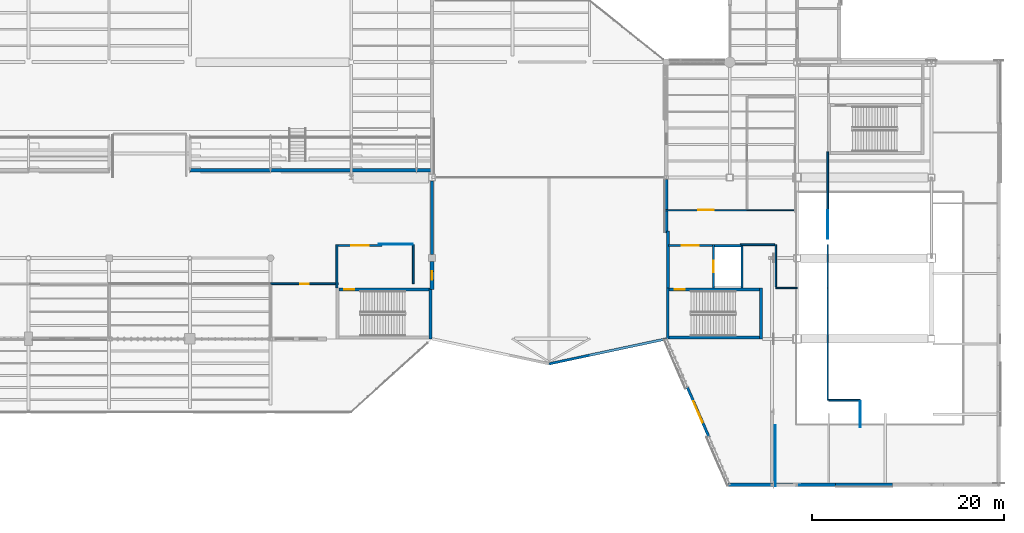
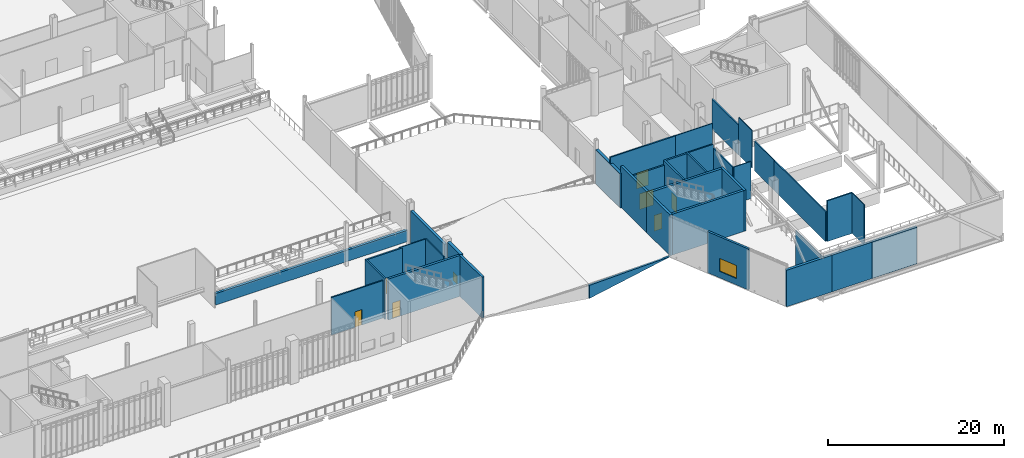
# One storey, part 108 of 135: 37 walls, 7 doors, 2 windows, 9 openings.
"""IFC4 building model written with IfcOpenShell, lengths in metres."""

import ifcopenshell
import ifcopenshell.guid

model = None  # the IFC model being written
_history = None  # IfcOwnerHistory: only IFC2X3 demands one
_inside = {}  # id of a spatial element -> (the spatial element, [elements in it])
_under = {}  # id of a project, library or spatial element -> (it, [spatial elements below it])
_declared = {}  # id of a project -> (the project, [libraries it declares])
_typed = {}  # id of a type object -> (the type object, [elements of that type])
_made_of = {}  # id of a material, layer set ... -> (it, [elements and type objects made of it])


def new_model(schema):
    """Start an empty IFC model of exactly this schema.

    Asked for "IFC4X3", IfcOpenShell would pick the latest addendum, in which some entities
    have other attributes; the version numbers below select the first issue.
    IFC2X3 requires an IfcOwnerHistory on every rooted entity: one is made here for all.
    """
    global model, _history
    if schema == "IFC4X3":
        model = ifcopenshell.file(schema_version=(4, 3, 0, 0))
    else:
        model = ifcopenshell.file(schema=schema)
    _inside.clear()
    _under.clear()
    _declared.clear()
    _typed.clear()
    _made_of.clear()
    _history = None
    if model.schema == "IFC2X3":
        org = make("IfcOrganization", Name="unknown")
        user = make(
            "IfcPersonAndOrganization",
            ThePerson=make("IfcPerson", FamilyName="unknown"),
            TheOrganization=org,
        )
        app = make(
            "IfcApplication",
            ApplicationDeveloper=org,
            Version="unknown",
            ApplicationFullName="unknown",
            ApplicationIdentifier="unknown",
        )
        _history = make(
            "IfcOwnerHistory",
            OwningUser=user,
            OwningApplication=app,
            ChangeAction="ADDED",
            CreationDate=0,
        )
    return model


def make(cls, **values):
    """One entity of the class cls with the attributes given. An attribute that is None is left unset."""
    return model.create_entity(
        cls, **{name: value for name, value in values.items() if value is not None}
    )


def rooted(cls, **values):
    """An entity with a GlobalId (a new one), such as an element, a storey or a relation."""
    return make(cls, GlobalId=ifcopenshell.guid.new(), OwnerHistory=_history, **values)


def si_unit(unit_type, name, prefix=None):
    """IfcSIUnit, for example si_unit("LENGTHUNIT", "METRE", prefix="MILLI")."""
    return make("IfcSIUnit", UnitType=unit_type, Prefix=prefix, Name=name)


def assignment(units):
    """IfcUnitAssignment: the units of a project."""
    return None if units is None else make("IfcUnitAssignment", Units=units)


def point(xyz):
    """IfcCartesianPoint."""
    return None if xyz is None else make("IfcCartesianPoint", Coordinates=xyz)


def direction(xyz):
    """IfcDirection."""
    return None if xyz is None else make("IfcDirection", DirectionRatios=xyz)


def frame(location, z_axis=None, x_axis=None):
    """IfcAxis2Placement3D, a coordinate frame: its origin and axes. An axis left out is left unset."""
    return make(
        "IfcAxis2Placement3D",
        Location=point(location),
        Axis=direction(z_axis),
        RefDirection=direction(x_axis),
    )


def frame_2d(location, x_axis=None):
    """IfcAxis2Placement2D, a coordinate frame in the plane: its origin and x axis."""
    return make(
        "IfcAxis2Placement2D", Location=point(location), RefDirection=direction(x_axis)
    )


def origin():
    """The frame at (0, 0, 0) with its axes left unset."""
    return frame((0.0, 0.0, 0.0))


def place(relative_to, where):
    """IfcLocalPlacement: puts the frame where relative to a parent placement (None: the world)."""
    return make(
        "IfcLocalPlacement", PlacementRelTo=relative_to, RelativePlacement=where
    )


def context(
    kind, dimensions, precision=None, world=None, true_north=None, identifier=None
):
    """IfcGeometricRepresentationContext, for example the 3D "Model" context."""
    return make(
        "IfcGeometricRepresentationContext",
        ContextIdentifier=identifier,
        ContextType=kind,
        CoordinateSpaceDimension=dimensions,
        Precision=precision,
        WorldCoordinateSystem=world,
        TrueNorth=true_north,
    )


def subcontext(parent, identifier, kind, view, scale=None):
    """IfcGeometricRepresentationSubContext, for example "Body" below "Model"."""
    return make(
        "IfcGeometricRepresentationSubContext",
        ContextIdentifier=identifier,
        ContextType=kind,
        ParentContext=parent,
        TargetScale=scale,
        TargetView=view,
    )


def project(units=None, contexts=None):
    """IfcProject with its units and contexts."""
    return rooted(
        "IfcProject",
        Name="project",
        RepresentationContexts=contexts,
        UnitsInContext=assignment(units),
    )


def spatial(cls, under=None, at=None, **own):
    """A site, building, storey or space (cls), placed at a placement, below another one or the project."""
    s = rooted(cls, ObjectPlacement=at, **own)
    if under is not None:
        _under.setdefault(under.id(), (under, []))[1].append(s)
    return s


def polyline(points):
    """IfcPolyline through the points."""
    return make("IfcPolyline", Points=[point(p) for p in points])


def profile(cls, at=None, kind="AREA", **sizes):
    """A parametric profile (cls). Its sizes go by their IFC names, for example OverallWidth=200.0."""
    return make(cls, ProfileType=kind, Position=at, **sizes)


def rectangle(**sizes):
    """IfcRectangleProfileDef."""
    return profile("IfcRectangleProfileDef", **sizes)


def outline(outer, holes=None, kind="AREA"):
    """IfcArbitraryClosedProfileDef: a profile drawn as a closed curve; with holes, ...WithVoids."""
    if holes is None:
        return make("IfcArbitraryClosedProfileDef", ProfileType=kind, OuterCurve=outer)
    return make(
        "IfcArbitraryProfileDefWithVoids",
        ProfileType=kind,
        OuterCurve=outer,
        InnerCurves=holes,
    )


def extrude(swept, where, along, depth):
    """IfcExtrudedAreaSolid: the profile swept, set in the frame where, extruded along a direction by depth."""
    return make(
        "IfcExtrudedAreaSolid",
        SweptArea=swept,
        Position=where,
        ExtrudedDirection=direction(along),
        Depth=depth,
    )


def shape(context_of_items, identifier, shape_type, items):
    """IfcShapeRepresentation: the items that make up one representation, for example the "Body"."""
    return make(
        "IfcShapeRepresentation",
        ContextOfItems=context_of_items,
        RepresentationIdentifier=identifier,
        RepresentationType=shape_type,
        Items=items,
    )


def material(Name=None, Category=None):
    """IfcMaterial."""
    return make("IfcMaterial", Name=Name, Category=Category)


def layer(
    of_material, thickness, ventilated=None, Name=None, Category=None, Priority=None
):
    """IfcMaterialLayer: one layer of a wall or slab, of a material (None: an air gap)."""
    return make(
        "IfcMaterialLayer",
        Material=of_material,
        LayerThickness=thickness,
        IsVentilated=ventilated,
        Name=Name,
        Category=Category,
        Priority=Priority,
    )


def layer_set(layers, Name=None):
    """IfcMaterialLayerSet."""
    return make("IfcMaterialLayerSet", MaterialLayers=layers, LayerSetName=Name)


def made_of(thing, what):
    """Note that an element or type object is made of a material, layer set ...; save() writes the relation."""
    if what is not None:
        _made_of.setdefault(what.id(), (what, []))[1].append(thing)
    return thing


def type_object(cls, material=None, **own):
    """A type object (cls), such as IfcWallType, which elements share."""
    return made_of(rooted(cls, **own), material)


def element(
    cls,
    number,
    at=None,
    inside=None,
    cuts=None,
    type_object=None,
    material=None,
    context=None,
    identifier="Body",
    shape_type=None,
    held_by="IfcProductDefinitionShape",
    body=None,
    shapes=None,
    **own,
):
    """One element of the class cls, such as IfcWall. Its Tag is "e" and its number.

    at: its placement. inside: the storey or other place that contains it. cuts: it is an
    opening in that element (IfcRelVoidsElement). A single representation is given by context,
    identifier, shape_type and body (its items); several are given by shapes. held_by: the class
    of the entity that holds the representations. save() writes the other relations.
    """
    e = rooted(cls, Tag="e%d" % number, ObjectPlacement=at, **own)
    if body is not None:
        shapes = [shape(context, identifier, shape_type, body)]
    if shapes is not None:
        e.Representation = make(held_by, Representations=shapes)
    if inside is not None:
        _inside.setdefault(inside.id(), (inside, []))[1].append(e)
    if cuts is not None:
        rooted(
            "IfcRelVoidsElement", RelatingBuildingElement=cuts, RelatedOpeningElement=e
        )
    if type_object is not None:
        _typed.setdefault(type_object.id(), (type_object, []))[1].append(e)
    return made_of(e, material)


def fill(opening, filler):
    """IfcRelFillsElement: the door or window that sits in an opening."""
    return rooted(
        "IfcRelFillsElement",
        RelatingOpeningElement=opening,
        RelatedBuildingElement=filler,
    )


def aggregate(whole, parts):
    """IfcRelAggregates: a whole, such as a stair, and the parts it consists of."""
    return rooted("IfcRelAggregates", RelatingObject=whole, RelatedObjects=parts)


def save(model, path):
    """Write the relations noted so far, then the file.

    IfcRelAggregates (storeys below a building ...), IfcRelContainedInSpatialStructure (elements
    in a storey), IfcRelDefinesByType, IfcRelAssociatesMaterial and IfcRelDeclares: one each for
    every whole, place, type object, material and project.
    """
    for whole, parts in _under.values():
        aggregate(whole, parts)
    for where, things in _inside.values():
        rooted(
            "IfcRelContainedInSpatialStructure",
            RelatedElements=things,
            RelatingStructure=where,
        )
    for kind, things in _typed.values():
        rooted("IfcRelDefinesByType", RelatedObjects=things, RelatingType=kind)
    for what, things in _made_of.values():
        rooted("IfcRelAssociatesMaterial", RelatedObjects=things, RelatingMaterial=what)
    for by, libraries in _declared.values():
        rooted("IfcRelDeclares", RelatingContext=by, RelatedDefinitions=libraries)
    model.write(path)


model = new_model("IFC4")

# Units and contexts
model_context = context("Model", 3, precision=1e-05, world=origin(), true_north=direction((0.0, 1.0)))
body_context = subcontext(model_context, "Body", "Model", "MODEL_VIEW")
ifc_project = project(units=[si_unit("LENGTHUNIT", "METRE"), si_unit("AREAUNIT", "SQUARE_METRE"), si_unit("VOLUMEUNIT", "CUBIC_METRE"), si_unit("PLANEANGLEUNIT", "RADIAN"), si_unit("MASSUNIT", "GRAM", prefix="KILO")], contexts=[model_context])

# Site, building, storey
site_placement = place(None, origin())
site = spatial("IfcSite", under=ifc_project, at=site_placement, CompositionType="ELEMENT")
building_placement = place(site_placement, origin())
building = spatial("IfcBuilding", under=site, at=building_placement, Name="Larkvane Passage Sports Hall", CompositionType="ELEMENT")
storey_placement = place(building_placement, frame((0.0, 0.0, 10.800048828125)))
storey = spatial("IfcBuildingStorey", under=building, at=storey_placement, Name="L02", CompositionType="ELEMENT", Elevation=10.800048828125)

# Wall
ifc_material_1 = material(Name="Concrete C50/60", Category="concrete")
ifc_layer_1 = layer(ifc_material_1, 0.300048828125)
ifc_layer_set_1 = layer_set([ifc_layer_1], Name="Concrete C50/60")
wall_type_1 = type_object("IfcWallType", Name="WL-CORE-300", PredefinedType="SHEAR", material=ifc_layer_set_1)
wall_1_placement = place(storey_placement, frame((93.449951171875, 28.10009765625, 0.0), z_axis=(0.0, 0.0, 1.0), x_axis=(0.0, -1.0, 0.0)))
element("IfcWall", 1, at=wall_1_placement, inside=storey, type_object=wall_type_1, Name="Core shear wall WAL-CORE-C4-L02-E", PredefinedType="SHEAR", context=body_context, shape_type="SweptSolid", body=[
    extrude(rectangle(XDim=5.300048828125, YDim=0.300048828125, at=frame_2d((2.64990234375, 0.0))), origin(), (0.0, 0.0, 1.0), 5.679931640625),
])

# Wall, opening, door
wall_2_placement = place(storey_placement, frame((83.89990234375, 27.949951171875, 0.0), z_axis=(0.0, 0.0, 1.0), x_axis=(1.0, 0.0, 0.0)))
wall_2 = element("IfcWall", 2, at=wall_2_placement, inside=storey, type_object=wall_type_1, Name="Core shear wall WAL-CORE-C4-L02-N", PredefinedType="SHEAR", context=body_context, shape_type="SweptSolid", body=[
    extrude(rectangle(XDim=9.400146484375, YDim=0.300048828125, at=frame_2d((4.7001953125, 0.0))), origin(), (0.0, 0.0, 1.0), 5.679931640625),
])
opening_1_placement = place(wall_2_placement, frame((0.550048828125, 0.0, 0.0)))
opening_1 = element("IfcOpeningElement", 3, at=opening_1_placement, cuts=wall_2, Name="Opening DF-01", PredefinedType="OPENING", context=body_context, shape_type="SweptSolid", body=[
    extrude(rectangle(XDim=1.050048828125, YDim=2.199951171875, at=frame_2d((0.52490234375, 1.10009765625))), frame((0.0, 0.159912109375, 0.0), z_axis=(0.0, -1.0, 0.0), x_axis=(1.0, 0.0, 0.0)), (0.0, 0.0, 1.0), 0.320068359375),
])
ifc_material_2 = material(Name="Steel S355JR smoke-sealed fire door", Category="steel")
door_type_1 = type_object("IfcDoorType", Name="DR-FIRE-1050", OperationType="NOTDEFINED", PredefinedType="DOOR", material=ifc_material_2)
door_1_placement = place(opening_1_placement, origin())
door_1 = element("IfcDoor", 4, at=door_1_placement, inside=storey, type_object=door_type_1, Name="Stair ST-04 L02 fire door", OperationType="SINGLE_SWING_RIGHT", OverallHeight=2.199951171875, OverallWidth=1.050048828125, PredefinedType="DOOR", context=body_context, shape_type="SweptSolid", body=[
    extrude(rectangle(XDim=1.050048828125, YDim=2.199951171875, at=frame_2d((0.52490234375, 1.10009765625))), frame((0.0, 0.02490234375, 0.0), z_axis=(0.0, -1.0, 0.0), x_axis=(1.0, 0.0, 0.0)), (0.0, 0.0, 1.0), 0.050048828125),
])
fill(opening_1, door_1)

# Walls
ifc_layer_2 = layer(ifc_material_1, 0.340087890625)
ifc_layer_set_2 = layer_set([ifc_layer_2], Name="Concrete C50/60")
wall_type_2 = type_object("IfcWallType", Name="WL-CORE-340", PredefinedType="SHEAR", material=ifc_layer_set_2)
for number, where, z_axis, x_axis, name in (
    (5, (118.14990234375, 22.800048828125, 0.0), (0.0, 0.0, 1.0), (0.0, 1.0, 0.0), "Core shear wall WAL-CORE-C5-L02-W"),
    (6, (127.85009765625, 28.10009765625, 0.0), (0.0, 0.0, 1.0), (0.0, -1.0, 0.0), "Core shear wall WAL-CORE-C5-L02-E"),
):
    element("IfcWall", number, at=place(storey_placement, frame(where, z_axis=z_axis, x_axis=x_axis)), inside=storey, type_object=wall_type_2, Name=name, PredefinedType="SHEAR", context=body_context, shape_type="SweptSolid", body=[
        extrude(rectangle(XDim=5.300048828125, YDim=0.300048828125, at=frame_2d((2.64990234375, 0.0))), origin(), (0.0, 0.0, 1.0), 5.679931640625),
    ])

# Wall, opening, door
wall_3_placement = place(storey_placement, frame((118.300048828125, 27.949951171875, 0.0), z_axis=(0.0, 0.0, 1.0), x_axis=(1.0, 0.0, 0.0)))
wall_3 = element("IfcWall", 7, at=wall_3_placement, inside=storey, type_object=wall_type_2, Name="Core shear wall WAL-CORE-C5-L02-N", PredefinedType="SHEAR", context=body_context, shape_type="SweptSolid", body=[
    extrude(rectangle(XDim=9.39990234375, YDim=0.300048828125, at=frame_2d((4.699951171875, 0.0))), origin(), (0.0, 0.0, 1.0), 5.679931640625),
])
opening_2_placement = place(wall_3_placement, frame((0.550048828125, 0.0, 0.0)))
opening_2 = element("IfcOpeningElement", 8, at=opening_2_placement, cuts=wall_3, Name="Opening DF-01", PredefinedType="OPENING", context=body_context, shape_type="SweptSolid", body=[
    extrude(rectangle(XDim=1.050048828125, YDim=2.199951171875, at=frame_2d((0.52490234375, 1.10009765625))), frame((0.0, 0.159912109375, 0.0), z_axis=(0.0, -1.0, 0.0), x_axis=(1.0, 0.0, 0.0)), (0.0, 0.0, 1.0), 0.320068359375),
])
door_2_placement = place(opening_2_placement, origin())
door_2 = element("IfcDoor", 9, at=door_2_placement, inside=storey, type_object=door_type_1, Name="Stair ST-05 L02 fire door", OperationType="SINGLE_SWING_RIGHT", OverallHeight=2.199951171875, OverallWidth=1.050048828125, PredefinedType="DOOR", context=body_context, shape_type="SweptSolid", body=[
    extrude(rectangle(XDim=1.050048828125, YDim=2.199951171875, at=frame_2d((0.52490234375, 1.10009765625))), frame((0.0, 0.02490234375, 0.0), z_axis=(0.0, -1.0, 0.0), x_axis=(1.0, 0.0, 0.0)), (0.0, 0.0, 1.0), 0.050048828125),
])
fill(opening_2, door_2)

# Wall
ifc_layer_3 = layer(ifc_material_1, 0.340087890625)
ifc_layer_set_3 = layer_set([ifc_layer_3], Name="Concrete C50/60")
wall_type_3 = type_object("IfcWallType", Name="WL-CORE-EXT-340", PredefinedType="SHEAR", material=ifc_layer_set_3)
wall_4_placement = place(storey_placement, frame((127.699951171875, 22.949951171875, 0.0), z_axis=(0.0, 0.0, 1.0), x_axis=(-1.0, 0.0, 0.0)))
element("IfcWall", 10, at=wall_4_placement, inside=storey, type_object=wall_type_3, Name="Core shear wall WAL-CORE-C5-L02-S", PredefinedType="SHEAR", context=body_context, shape_type="SweptSolid", body=[
    extrude(rectangle(XDim=9.39990234375, YDim=0.300048828125, at=frame_2d((4.699951171875, 0.0))), origin(), (0.0, 0.0, 1.0), 5.679931640625),
])

# Wall, opening, window
ifc_material_3 = material(Name="Concrete C40/50", Category="concrete")
ifc_layer_4 = layer(ifc_material_3, 0.27490234375)
ifc_layer_set_4 = layer_set([ifc_layer_4], Name="Concrete C40/50")
wall_type_4 = type_object("IfcWallType", Name="WL-EXT-275", PredefinedType="SOLIDWALL", material=ifc_layer_set_4)
wall_5_placement = place(storey_placement, frame((122.45263671875, 12.545654296875, 0.0), z_axis=(0.0, 0.0, 1.0), x_axis=(-0.398288010799, 0.917260410382, 0.0)))
wall_5 = element("IfcWall", 11, at=wall_5_placement, inside=storey, type_object=wall_type_4, Name="Exterior wall WAL-EXT-L02-131", PredefinedType="SOLIDWALL", context=body_context, shape_type="SweptSolid", body=[
    extrude(rectangle(XDim=5.78759765625, YDim=0.27490234375, at=frame_2d((2.893798828125, 0.0))), origin(), (0.0, 0.0, 1.0), 5.699951171875),
])
opening_3_placement = place(wall_5_placement, frame((1.694091796875, 0.0, 0.89990234375)))
opening_3 = element("IfcOpeningElement", 12, at=opening_3_placement, cuts=wall_5, Name="Opening W-04", PredefinedType="OPENING", context=body_context, shape_type="SweptSolid", body=[
    extrude(rectangle(XDim=2.39990234375, YDim=1.800048828125, at=frame_2d((1.199951171875, 0.89990234375))), frame((0.0, 0.1474609375, 0.0), z_axis=(0.0, -1.0, 0.0), x_axis=(1.0, 0.0, 0.0)), (0.0, 0.0, 1.0), 0.294921875),
])
ifc_material_4 = material(Name="Thermally broken aluminium and laminated low-E glass", Category="aluminium")
window_type_1 = type_object("IfcWindowType", Name="WN-FIX-2400x1800", PartitioningType="DOUBLE_PANEL_VERTICAL", PredefinedType="WINDOW", material=ifc_material_4)
window_1_placement = place(opening_3_placement, origin())
window_1 = element("IfcWindow", 13, at=window_1_placement, inside=storey, type_object=window_type_1, Name="Window L02-043", OverallHeight=1.800048828125, OverallWidth=2.39990234375, PartitioningType="DOUBLE_PANEL_VERTICAL", PredefinedType="WINDOW", context=body_context, shape_type="SweptSolid", body=[
    extrude(rectangle(XDim=2.39990234375, YDim=1.800048828125, at=frame_2d((1.199951171875, 0.89990234375))), frame((0.0, 0.030029296875, 0.0), z_axis=(0.0, -1.0, 0.0), x_axis=(1.0, 0.0, 0.0)), (0.0, 0.0, 1.0), 0.06005859375),
])
fill(opening_3, window_1)

# Walls
ifc_material_5 = material(Name="Precast concrete C45/55", Category="concrete")
ifc_layer_5 = layer(ifc_material_5, 0.31005859375)
ifc_layer_set_5 = layer_set([ifc_layer_5], Name="Precast concrete C45/55")
wall_type_5 = type_object("IfcWallType", Name="WL-EXT-310", PredefinedType="SOLIDWALL", material=ifc_layer_set_5)
wall_6_placement = place(storey_placement, frame((118.155029296875, 28.10009765625, 0.0), z_axis=(0.0, 0.0, 1.0), x_axis=(0.0, 1.0, 0.0)))
element("IfcWall", 14, at=wall_6_placement, inside=storey, type_object=wall_type_5, Name="Exterior wall WAL-EXT-C5-LOB-L02", PredefinedType="SOLIDWALL", context=body_context, shape_type="SweptSolid", body=[
    extrude(rectangle(XDim=5.919921875, YDim=0.31005859375, at=frame_2d((2.9599609375, 0.0))), origin(), (0.0, 0.0, 1.0), 5.679931640625),
])
ifc_layer_6 = layer(ifc_material_5, 0.344970703125)
ifc_layer_set_6 = layer_set([ifc_layer_6], Name="Precast concrete C45/55")
wall_type_6 = type_object("IfcWallType", Name="WL-EXT-345", PredefinedType="SOLIDWALL", material=ifc_layer_set_6)
for number, where, z_axis, x_axis, name in (
    (15, (141.565673828125, 7.60009765625, 0.0), (0.0, 0.0, 1.0), (-1.0, 0.0, 0.0), "Exterior wall WAL-EXT-L02-128"),
    (16, (135.965576171875, 7.60009765625, 0.0), (0.0, 0.0, 1.0), (-1.0, 0.0, 0.0), "Exterior wall WAL-EXT-L02-129"),
    (17, (130.365478515625, 7.60009765625, 0.0), (0.0, 0.0, 1.0), (-1.0, 0.0, 0.0), "Exterior wall WAL-EXT-L02-130"),
):
    element("IfcWall", number, at=place(storey_placement, frame(where, z_axis=z_axis, x_axis=x_axis)), inside=storey, type_object=wall_type_6, Name=name, PredefinedType="SOLIDWALL", context=body_context, shape_type="SweptSolid", body=[
        extrude(rectangle(XDim=5.93115234375, YDim=0.344970703125, at=frame_2d((2.965576171875, 0.0))), origin(), (0.0, 0.0, 1.0), 5.079833984375),
    ])
wall_7_placement = place(storey_placement, frame((118.0, 33.83447265625, 0.0), z_axis=(0.0, 0.0, 1.0), x_axis=(0.0, 1.0, 0.0)))
element("IfcWall", 18, at=wall_7_placement, inside=storey, type_object=wall_type_6, Name="Exterior wall WAL-EXT-L02-132", PredefinedType="SOLIDWALL", context=body_context, shape_type="SweptSolid", body=[
    extrude(rectangle(XDim=5.569580078125, YDim=0.344970703125, at=frame_2d((2.78466796875, 0.0))), origin(), (0.0, 0.0, 1.0), 4.758056640625),
])
wall_8_placement = place(storey_placement, frame((93.60009765625, 39.25390625, 0.0), z_axis=(0.0, 0.0, 1.0), x_axis=(0.0, -1.0, 0.0)))
element("IfcWall", 19, at=wall_8_placement, inside=storey, type_object=wall_type_6, Name="Exterior wall WAL-EXT-L02-145", PredefinedType="SOLIDWALL", context=body_context, shape_type="SweptSolid", body=[
    extrude(rectangle(XDim=7.682861328125, YDim=0.344970703125, at=frame_2d((3.84130859375, 0.0))), origin(), (0.0, 0.0, 1.0), 4.89794921875),
])

# Wall, opening, window
ifc_layer_7 = layer(ifc_material_3, 0.385009765625)
ifc_layer_set_7 = layer_set([ifc_layer_7], Name="Concrete C40/50")
wall_type_7 = type_object("IfcWallType", Name="WL-EXT-385", PredefinedType="SOLIDWALL", material=ifc_layer_set_7)
wall_9_placement = place(storey_placement, frame((93.60009765625, 30.8291015625, 0.0), z_axis=(0.0, 0.0, 1.0), x_axis=(0.0, -1.0, 0.0)))
wall_9 = element("IfcWall", 20, at=wall_9_placement, inside=storey, type_object=wall_type_7, Name="Exterior wall WAL-EXT-L02-146", PredefinedType="SOLIDWALL", context=body_context, shape_type="SweptSolid", body=[
    extrude(rectangle(XDim=2.90380859375, YDim=0.385009765625, at=frame_2d((1.451904296875, 0.0))), origin(), (0.0, 0.0, 1.0), 5.679931640625),
])
opening_4_placement = place(wall_9_placement, frame((1.001953125, 0.0, 0.89990234375)))
opening_4 = element("IfcOpeningElement", 21, at=opening_4_placement, cuts=wall_9, Name="Opening W-09", PredefinedType="OPENING", context=body_context, shape_type="SweptSolid", body=[
    extrude(rectangle(XDim=0.89990234375, YDim=1.199951171875, at=frame_2d((0.449951171875, 0.60009765625))), frame((0.0, 0.202392578125, 0.0), z_axis=(0.0, -1.0, 0.0), x_axis=(1.0, 0.0, 0.0)), (0.0, 0.0, 1.0), 0.405029296875),
])
window_type_2 = type_object("IfcWindowType", Name="WN-CAS-900x1200", PartitioningType="SINGLE_PANEL", PredefinedType="WINDOW", material=ifc_material_4)
window_2_placement = place(opening_4_placement, origin())
window_2 = element("IfcWindow", 22, at=window_2_placement, inside=storey, type_object=window_type_2, Name="Window L02-048", OverallHeight=1.199951171875, OverallWidth=0.89990234375, PartitioningType="SINGLE_PANEL", PredefinedType="WINDOW", context=body_context, shape_type="SweptSolid", body=[
    extrude(rectangle(XDim=0.89990234375, YDim=1.199951171875, at=frame_2d((0.449951171875, 0.60009765625))), frame((0.0, 0.030029296875, 0.0), z_axis=(0.0, -1.0, 0.0), x_axis=(1.0, 0.0, 0.0)), (0.0, 0.0, 1.0), 0.06005859375),
])
fill(opening_4, window_2)

# Wall
ifc_layer_8 = layer(ifc_material_5, 0.260009765625)
ifc_layer_set_8 = layer_set([ifc_layer_8], Name="Precast concrete C45/55")
wall_type_8 = type_object("IfcWallType", Name="WL-GABLE-260", PredefinedType="SOLIDWALL", material=ifc_layer_set_8)
wall_10_placement = place(storey_placement, frame((105.800048828125, 20.199951171875, 0.0), z_axis=(0.0, 0.0, 1.0), x_axis=(0.97803466984, 0.208442281199, 0.0)))
element("IfcWall", 23, at=wall_10_placement, inside=storey, type_object=wall_type_8, Name="Entrance foyer canopy gable WAL-GABLE-V5-SE", PredefinedType="SOLIDWALL", context=body_context, shape_type="SweptSolid", body=[
    extrude(outline(polyline([(0.0, 0.0), (12.473876953125, 0.0), (12.469970703125, 0.02001953125), (0.0, 1.820068359375), (0.0, 0.0)])), frame((0.0, 0.1298828125, 0.0), z_axis=(0.0, -1.0, 0.0), x_axis=(1.0, 0.0, 0.0)), (0.0, 0.0, 1.0), 0.260009765625),
])

# Wall, opening, door
ifc_layer_9 = layer(ifc_material_3, 0.199951171875)
ifc_layer_set_9 = layer_set([ifc_layer_9], Name="Concrete C40/50")
wall_type_9 = type_object("IfcWallType", Name="WL-LOBBY-200", PredefinedType="SOLIDWALL", material=ifc_layer_set_9)
wall_11_placement = place(storey_placement, frame((83.800048828125, 32.5, 0.0), z_axis=(0.0, 0.0, 1.0), x_axis=(1.0, 0.0, 0.0)))
wall_11 = element("IfcWall", 24, at=wall_11_placement, inside=storey, type_object=wall_type_9, Name="Protected stair lobby wall C4 L02", PredefinedType="SOLIDWALL", context=body_context, shape_type="SweptSolid", body=[
    extrude(rectangle(XDim=4.599853515625, YDim=0.199951171875, at=frame_2d((2.2998046875, 0.0))), origin(), (0.0, 0.0, 1.0), 5.64990234375),
])
opening_5_placement = place(wall_11_placement, frame((1.39990234375, 0.0, 0.0)))
opening_5 = element("IfcOpeningElement", 25, at=opening_5_placement, cuts=wall_11, Name="Opening DF-02", PredefinedType="OPENING", context=body_context, shape_type="SweptSolid", body=[
    extrude(rectangle(XDim=1.800048828125, YDim=2.199951171875, at=frame_2d((0.89990234375, 1.10009765625))), frame((0.0, 0.10986328125, 0.0), z_axis=(0.0, -1.0, 0.0), x_axis=(1.0, 0.0, 0.0)), (0.0, 0.0, 1.0), 0.219970703125),
])
ifc_material_6 = material(Name="Steel S355JR double smoke-sealed fire door", Category="steel")
door_type_2 = type_object("IfcDoorType", Name="DR-FIRE-1800", OperationType="DOUBLE_DOOR_SINGLE_SWING", PredefinedType="DOOR", material=ifc_material_6)
door_3_placement = place(opening_5_placement, origin())
door_3 = element("IfcDoor", 26, at=door_3_placement, inside=storey, type_object=door_type_2, Name="Lobby smoke door C4 L02", OperationType="DOUBLE_DOOR_SINGLE_SWING", OverallHeight=2.199951171875, OverallWidth=1.800048828125, PredefinedType="DOOR", context=body_context, shape_type="SweptSolid", body=[
    extrude(rectangle(XDim=1.800048828125, YDim=2.199951171875, at=frame_2d((0.89990234375, 1.10009765625))), frame((0.0, 0.02490234375, 0.0), z_axis=(0.0, -1.0, 0.0), x_axis=(1.0, 0.0, 0.0)), (0.0, 0.0, 1.0), 0.050048828125),
])
fill(opening_5, door_3)

# Wall
wall_12_placement = place(storey_placement, frame((83.699951171875, 28.10009765625, 0.0), z_axis=(0.0, 0.0, 1.0), x_axis=(0.0, 1.0, 0.0)))
element("IfcWall", 27, at=wall_12_placement, inside=storey, type_object=wall_type_9, Name="Lobby side wall C4 L02", PredefinedType="SOLIDWALL", context=body_context, shape_type="SweptSolid", body=[
    extrude(rectangle(XDim=4.5, YDim=0.199951171875, at=frame_2d((2.25, 0.0))), origin(), (0.0, 0.0, 1.0), 5.64990234375),
])

# Wall, opening, door
wall_13_placement = place(storey_placement, frame((118.199951171875, 32.5, 0.0), z_axis=(0.0, 0.0, 1.0), x_axis=(1.0, 0.0, 0.0)))
wall_13 = element("IfcWall", 28, at=wall_13_placement, inside=storey, type_object=wall_type_9, Name="Protected stair lobby wall C5 L02", PredefinedType="SOLIDWALL", context=body_context, shape_type="SweptSolid", body=[
    extrude(rectangle(XDim=4.60009765625, YDim=0.199951171875, at=frame_2d((2.300048828125, 0.0))), origin(), (0.0, 0.0, 1.0), 5.08203125),
])
opening_6_placement = place(wall_13_placement, frame((1.39990234375, 0.0, 0.0)))
opening_6 = element("IfcOpeningElement", 29, at=opening_6_placement, cuts=wall_13, Name="Opening DF-02", PredefinedType="OPENING", context=body_context, shape_type="SweptSolid", body=[
    extrude(rectangle(XDim=1.800048828125, YDim=2.199951171875, at=frame_2d((0.89990234375, 1.10009765625))), frame((0.0, 0.10986328125, 0.0), z_axis=(0.0, -1.0, 0.0), x_axis=(1.0, 0.0, 0.0)), (0.0, 0.0, 1.0), 0.219970703125),
])
door_4_placement = place(opening_6_placement, origin())
door_4 = element("IfcDoor", 30, at=door_4_placement, inside=storey, type_object=door_type_2, Name="Lobby smoke door C5 L02", OperationType="DOUBLE_DOOR_SINGLE_SWING", OverallHeight=2.199951171875, OverallWidth=1.800048828125, PredefinedType="DOOR", context=body_context, shape_type="SweptSolid", body=[
    extrude(rectangle(XDim=1.800048828125, YDim=2.199951171875, at=frame_2d((0.89990234375, 1.10009765625))), frame((0.0, 0.02490234375, 0.0), z_axis=(0.0, -1.0, 0.0), x_axis=(1.0, 0.0, 0.0)), (0.0, 0.0, 1.0), 0.050048828125),
])
fill(opening_6, door_4)

# Walls
ifc_material_7 = material(Name="Gypsum twin-stud acoustic partition")
ifc_layer_10 = layer(ifc_material_7, 0.10009765625)
ifc_layer_set_10 = layer_set([ifc_layer_10], Name="Gypsum twin-stud acoustic partition")
wall_type_10 = type_object("IfcWallType", Name="WL-PART-100", PredefinedType="PARTITIONING", material=ifc_layer_set_10)
wall_14_placement = place(storey_placement, frame((129.340087890625, 7.448486328125, 0.0), z_axis=(0.0, 0.0, 1.0), x_axis=(0.0, 1.0, 0.0)))
element("IfcWall", 31, at=wall_14_placement, inside=storey, type_object=wall_type_10, Name="Interior partition WAL-PART-L02-0234", PredefinedType="PARTITIONING", context=body_context, shape_type="SweptSolid", body=[
    extrude(rectangle(XDim=6.3515625, YDim=0.10009765625, at=frame_2d((3.17578125, 0.0))), origin(), (0.0, 0.0, 1.0), 5.08203125),
])
wall_15_placement = place(storey_placement, frame((91.60009765625, 32.659912109375, 0.0), z_axis=(0.0, 0.0, 1.0), x_axis=(-1.0, 0.0, 0.0)))
element("IfcWall", 32, at=wall_15_placement, inside=storey, type_object=wall_type_10, Name="Interior partition WAL-PART-L02-0250", PredefinedType="PARTITIONING", context=body_context, shape_type="SweptSolid", body=[
    extrude(rectangle(XDim=3.52001953125, YDim=0.10009765625, at=frame_2d((1.760009765625, 0.0))), origin(), (0.0, 0.0, 1.0), 5.64990234375),
])
wall_16_placement = place(storey_placement, frame((134.800048828125, 36.199951171875, 0.0), z_axis=(0.0, 0.0, 1.0), x_axis=(0.0, -1.0, 0.0)))
element("IfcWall", 33, at=wall_16_placement, inside=storey, type_object=wall_type_10, Name="Interior partition WAL-PART-L02-0282", PredefinedType="PARTITIONING", context=body_context, shape_type="SweptSolid", body=[
    extrude(rectangle(XDim=3.0, YDim=0.10009765625, at=frame_2d((1.5, 0.0))), origin(), (0.0, 0.0, 1.0), 5.25),
])
wall_17_placement = place(storey_placement, frame((138.199951171875, 16.280029296875, 0.0), z_axis=(0.0, 0.0, 1.0), x_axis=(0.0, -1.0, 0.0)))
element("IfcWall", 34, at=wall_17_placement, inside=storey, type_object=wall_type_10, Name="Interior partition WAL-PART-L02-0286", PredefinedType="PARTITIONING", context=body_context, shape_type="SweptSolid", body=[
    extrude(rectangle(XDim=2.699951171875, YDim=0.10009765625, at=frame_2d((1.35009765625, 0.0))), origin(), (0.0, 0.0, 1.0), 5.64990234375),
])
ifc_material_8 = material(Name="Gypsum twin-stud fire-rated partition")
ifc_layer_11 = layer(ifc_material_8, 0.125)
ifc_layer_set_11 = layer_set([ifc_layer_11], Name="Gypsum twin-stud fire-rated partition")
wall_type_11 = type_object("IfcWallType", Name="WL-PART-125", PredefinedType="PARTITIONING", material=ifc_layer_set_11)
wall_18_placement = place(storey_placement, frame((131.280029296875, 36.199951171875, 0.0), z_axis=(0.0, 0.0, 1.0), x_axis=(-1.0, 0.0, 0.0)))
element("IfcWall", 35, at=wall_18_placement, inside=storey, type_object=wall_type_11, Name="Interior partition WAL-PART-L02-0231", PredefinedType="PARTITIONING", context=body_context, shape_type="SweptSolid", body=[
    extrude(rectangle(XDim=4.860107421875, YDim=0.125, at=frame_2d((2.43017578125, 0.0))), origin(), (0.0, 0.0, 1.0), 5.64990234375),
])
wall_19_placement = place(storey_placement, frame((131.6201171875, 28.10009765625, 0.0), z_axis=(0.0, 0.0, 1.0), x_axis=(-1.0, 0.0, 0.0)))
element("IfcWall", 36, at=wall_19_placement, inside=storey, type_object=wall_type_11, Name="Interior partition WAL-PART-L02-0271", PredefinedType="PARTITIONING", context=body_context, shape_type="SweptSolid", body=[
    extrude(rectangle(XDim=2.22021484375, YDim=0.125, at=frame_2d((1.110107421875, 0.0))), origin(), (0.0, 0.0, 1.0), 5.161865234375),
])
wall_20_placement = place(storey_placement, frame((134.800048828125, 32.60009765625, 0.0), z_axis=(0.0, 0.0, 1.0), x_axis=(0.0, -1.0, 0.0)))
element("IfcWall", 37, at=wall_20_placement, inside=storey, type_object=wall_type_11, Name="Interior partition WAL-PART-L02-0283", PredefinedType="PARTITIONING", context=body_context, shape_type="SweptSolid", body=[
    extrude(rectangle(XDim=4.5, YDim=0.125, at=frame_2d((2.25, 0.0))), origin(), (0.0, 0.0, 1.0), 4.14990234375),
])
ifc_material_9 = material(Name="Gypsum acoustic partition")
ifc_layer_12 = layer(ifc_material_9, 0.14990234375)
ifc_layer_set_12 = layer_set([ifc_layer_12], Name="Gypsum acoustic partition")
wall_type_12 = type_object("IfcWallType", Name="WL-PART-150", PredefinedType="PARTITIONING", material=ifc_layer_set_12)
wall_21_placement = place(storey_placement, frame((129.39990234375, 28.219970703125, 0.0), z_axis=(0.0, 0.0, 1.0), x_axis=(0.0, 1.0, 0.0)))
element("IfcWall", 38, at=wall_21_placement, inside=storey, type_object=wall_type_12, Name="Interior partition WAL-PART-L02-0272", PredefinedType="PARTITIONING", context=body_context, shape_type="SweptSolid", body=[
    extrude(rectangle(XDim=4.380126953125, YDim=0.14990234375, at=frame_2d((2.18994140625, 0.0))), origin(), (0.0, 0.0, 1.0), 5.08203125),
])
wall_22_placement = place(storey_placement, frame((134.800048828125, 28.10009765625, 0.0), z_axis=(0.0, 0.0, 1.0), x_axis=(0.0, -1.0, 0.0)))
element("IfcWall", 39, at=wall_22_placement, inside=storey, type_object=wall_type_12, Name="Interior partition WAL-PART-L02-0284", PredefinedType="PARTITIONING", context=body_context, shape_type="SweptSolid", body=[
    extrude(rectangle(XDim=11.7001953125, YDim=0.14990234375, at=frame_2d((5.85009765625, 0.0))), origin(), (0.0, 0.0, 1.0), 4.14990234375),
])
ifc_material_10 = material(Name="Gypsum high-bay court partition")
ifc_layer_13 = layer(ifc_material_10, 0.179931640625)
ifc_layer_set_13 = layer_set([ifc_layer_13], Name="Gypsum high-bay court partition")
wall_type_13 = type_object("IfcWallType", Name="WL-PART-180", PredefinedType="PARTITIONING", material=ifc_layer_set_13)
wall_23_placement = place(storey_placement, frame((91.659912109375, 28.550048828125, 0.0), z_axis=(0.0, 0.0, 1.0), x_axis=(0.0, 1.0, 0.0)))
element("IfcWall", 40, at=wall_23_placement, inside=storey, type_object=wall_type_13, Name="Interior partition WAL-PART-L02-0249", PredefinedType="PARTITIONING", context=body_context, shape_type="SweptSolid", body=[
    extrude(rectangle(XDim=4.050048828125, YDim=0.179931640625, at=frame_2d((2.02490234375, 0.0))), origin(), (0.0, 0.0, 1.0), 5.64990234375),
])

# Wall, opening, door
wall_24_placement = place(storey_placement, frame((126.39990234375, 36.199951171875, 0.0), z_axis=(0.0, 0.0, 1.0), x_axis=(-1.0, 0.0, 0.0)))
wall_24 = element("IfcWall", 41, at=wall_24_placement, inside=storey, type_object=wall_type_13, Name="Interior partition WAL-PART-L02-0269", PredefinedType="PARTITIONING", context=body_context, shape_type="SweptSolid", body=[
    extrude(rectangle(XDim=8.551513671875, YDim=0.179931640625, at=frame_2d((4.27587890625, 0.0))), origin(), (0.0, 0.0, 1.0), 5.64990234375),
])
opening_7_placement = place(wall_24_placement, frame((3.47607421875, 0.0, 0.0)))
opening_7 = element("IfcOpeningElement", 42, at=opening_7_placement, cuts=wall_24, Name="Opening DI-03", PredefinedType="OPENING", context=body_context, shape_type="SweptSolid", body=[
    extrude(rectangle(XDim=1.60009765625, YDim=2.199951171875, at=frame_2d((0.800048828125, 1.10009765625))), frame((0.0, 0.099853515625, 0.0), z_axis=(0.0, -1.0, 0.0), x_axis=(1.0, 0.0, 0.0)), (0.0, 0.0, 1.0), 0.199951171875),
])
ifc_material_11 = material(Name="Glazed aluminium studio double door", Category="aluminium")
door_type_3 = type_object("IfcDoorType", Name="DR-INT-1600", OperationType="DOUBLE_DOOR_SINGLE_SWING", PredefinedType="DOOR", material=ifc_material_11)
door_5_placement = place(opening_7_placement, origin())
door_5 = element("IfcDoor", 43, at=door_5_placement, inside=storey, type_object=door_type_3, Name="Interior door L02-0084", OperationType="DOUBLE_DOOR_SINGLE_SWING", OverallHeight=2.199951171875, OverallWidth=1.60009765625, PredefinedType="DOOR", context=body_context, shape_type="SweptSolid", body=[
    extrude(rectangle(XDim=1.60009765625, YDim=2.199951171875, at=frame_2d((0.800048828125, 1.10009765625))), frame((0.0, 0.02490234375, 0.0), z_axis=(0.0, -1.0, 0.0), x_axis=(1.0, 0.0, 0.0)), (0.0, 0.0, 1.0), 0.050048828125),
])
fill(opening_7, door_5)

# Walls
wall_25_placement = place(storey_placement, frame((129.280029296875, 32.60009765625, 0.0), z_axis=(0.0, 0.0, 1.0), x_axis=(-1.0, 0.0, 0.0)))
element("IfcWall", 44, at=wall_25_placement, inside=storey, type_object=wall_type_13, Name="Interior partition WAL-PART-L02-0273", PredefinedType="PARTITIONING", context=body_context, shape_type="SweptSolid", body=[
    extrude(rectangle(XDim=3.580078125, YDim=0.179931640625, at=frame_2d((1.7900390625, 0.0))), origin(), (0.0, 0.0, 1.0), 5.64990234375),
])
wall_26_placement = place(storey_placement, frame((134.800048828125, 42.260009765625, 0.0), z_axis=(0.0, 0.0, 1.0), x_axis=(0.0, -1.0, 0.0)))
element("IfcWall", 45, at=wall_26_placement, inside=storey, type_object=wall_type_13, Name="Interior partition WAL-PART-L02-0281", PredefinedType="PARTITIONING", context=body_context, shape_type="SweptSolid", body=[
    extrude(rectangle(XDim=6.06005859375, YDim=0.179931640625, at=frame_2d((3.030029296875, 0.0))), origin(), (0.0, 0.0, 1.0), 4.14990234375),
])
wall_27_placement = place(storey_placement, frame((134.919921875, 16.39990234375, 0.0), z_axis=(0.0, 0.0, 1.0), x_axis=(1.0, 0.0, 0.0)))
element("IfcWall", 46, at=wall_27_placement, inside=storey, type_object=wall_type_13, Name="Interior partition WAL-PART-L02-0285", PredefinedType="PARTITIONING", context=body_context, shape_type="SweptSolid", body=[
    extrude(rectangle(XDim=3.280029296875, YDim=0.179931640625, at=frame_2d((1.64013671875, 0.0))), origin(), (0.0, 0.0, 1.0), 5.64990234375),
])

# Wall, opening, door
ifc_material_12 = material(Name="Moisture-resistant shaftliner partition")
ifc_layer_14 = layer(ifc_material_12, 0.175048828125)
ifc_layer_set_14 = layer_set([ifc_layer_14], Name="Moisture-resistant shaftliner partition")
wall_type_14 = type_object("IfcWallType", Name="WL-PLUMB-175", PredefinedType="PLUMBINGWALL", material=ifc_layer_set_14)
wall_28_placement = place(storey_placement, frame((76.820068359375, 28.530029296875, 0.0), z_axis=(0.0, 0.0, 1.0), x_axis=(1.0, 0.0, 0.0)))
wall_28 = element("IfcWall", 47, at=wall_28_placement, inside=storey, type_object=wall_type_14, Name="Interior partition WAL-PART-L02-0220", PredefinedType="PLUMBINGWALL", context=body_context, shape_type="SweptSolid", body=[
    extrude(rectangle(XDim=7.0400390625, YDim=0.175048828125, at=frame_2d((3.52001953125, 0.0))), origin(), (0.0, 0.0, 1.0), 5.2099609375),
])
opening_8_placement = place(wall_28_placement, frame((3.06005859375, 0.0, 0.0)))
opening_8 = element("IfcOpeningElement", 48, at=opening_8_placement, cuts=wall_28, Name="Opening DI-02", PredefinedType="OPENING", context=body_context, shape_type="SweptSolid", body=[
    extrude(rectangle(XDim=0.919921875, YDim=2.14990234375, at=frame_2d((0.4599609375, 1.074951171875))), frame((0.0, 0.097412109375, 0.0), z_axis=(0.0, -1.0, 0.0), x_axis=(1.0, 0.0, 0.0)), (0.0, 0.0, 1.0), 0.195068359375),
])
ifc_material_13 = material(Name="Moisture-resistant laminate room door")
door_type_4 = type_object("IfcDoorType", Name="DR-INT-900", OperationType="NOTDEFINED", PredefinedType="DOOR", material=ifc_material_13)
door_6_placement = place(opening_8_placement, origin())
door_6 = element("IfcDoor", 49, at=door_6_placement, inside=storey, type_object=door_type_4, Name="Interior door L02-0077", OperationType="SINGLE_SWING_LEFT", OverallHeight=2.14990234375, OverallWidth=0.919921875, PredefinedType="DOOR", context=body_context, shape_type="SweptSolid", body=[
    extrude(rectangle(XDim=0.919921875, YDim=2.14990234375, at=frame_2d((0.4599609375, 1.074951171875))), frame((0.0, 0.02490234375, 0.0), z_axis=(0.0, -1.0, 0.0), x_axis=(1.0, 0.0, 0.0)), (0.0, 0.0, 1.0), 0.050048828125),
])
fill(opening_8, door_6)

ifc_layer_15 = layer(ifc_material_3, 0.219970703125)
ifc_layer_set_15 = layer_set([ifc_layer_15], Name="Concrete C40/50")
wall_type_15 = type_object("IfcWallType", Name="WL-SHAFT-220", PredefinedType="SOLIDWALL", material=ifc_layer_set_15)
wall_29_placement = place(storey_placement, frame((122.909912109375, 28.10009765625, 0.0), z_axis=(0.0, 0.0, 1.0), x_axis=(0.0, 1.0, 0.0)))
wall_29 = element("IfcWall", 50, at=wall_29_placement, inside=storey, type_object=wall_type_15, Name="Lift shaft front wall FL-02 L02", PredefinedType="SOLIDWALL", context=body_context, shape_type="SweptSolid", body=[
    extrude(rectangle(XDim=4.5, YDim=0.219970703125, at=frame_2d((2.25, 0.0))), origin(), (0.0, 0.0, 1.0), 5.679931640625),
])
opening_9_placement = place(wall_29_placement, frame((1.64990234375, 0.0, 0.0)))
opening_9 = element("IfcOpeningElement", 51, at=opening_9_placement, cuts=wall_29, Name="Opening LD-01", PredefinedType="OPENING", context=body_context, shape_type="SweptSolid", body=[
    extrude(rectangle(XDim=1.199951171875, YDim=2.199951171875, at=frame_2d((0.60009765625, 1.10009765625))), frame((0.0, 0.119873046875, 0.0), z_axis=(0.0, -1.0, 0.0), x_axis=(1.0, 0.0, 0.0)), (0.0, 0.0, 1.0), 0.239990234375),
])
ifc_material_14 = material(Name="Stainless steel S355JR lift landing door", Category="steel")
door_type_5 = type_object("IfcDoorType", Name="DR-LIFT-1200", OperationType="SLIDING_TO_LEFT", PredefinedType="DOOR", material=ifc_material_14)
door_7_placement = place(opening_9_placement, origin())
door_7 = element("IfcDoor", 52, at=door_7_placement, inside=storey, type_object=door_type_5, Name="Lift landing door FL-02 L02", OperationType="SLIDING_TO_LEFT", OverallHeight=2.199951171875, OverallWidth=1.199951171875, PredefinedType="DOOR", context=body_context, shape_type="SweptSolid", body=[
    extrude(rectangle(XDim=1.199951171875, YDim=2.199951171875, at=frame_2d((0.60009765625, 1.10009765625))), frame((0.0, 0.02490234375, 0.0), z_axis=(0.0, -1.0, 0.0), x_axis=(1.0, 0.0, 0.0)), (0.0, 0.0, 1.0), 0.050048828125),
])
fill(opening_9, door_7)

# Walls
wall_30_placement = place(storey_placement, frame((125.889892578125, 28.10009765625, 0.0), z_axis=(0.0, 0.0, 1.0), x_axis=(0.0, 1.0, 0.0)))
element("IfcWall", 53, at=wall_30_placement, inside=storey, type_object=wall_type_15, Name="Lift shaft rear wall FL-02 L02", PredefinedType="SOLIDWALL", context=body_context, shape_type="SweptSolid", body=[
    extrude(rectangle(XDim=4.5, YDim=0.219970703125, at=frame_2d((2.25, 0.0))), origin(), (0.0, 0.0, 1.0), 5.679931640625),
])
wall_31_placement = place(storey_placement, frame((123.02001953125, 32.489990234375, 0.0), z_axis=(0.0, 0.0, 1.0), x_axis=(1.0, 0.0, 0.0)))
element("IfcWall", 54, at=wall_31_placement, inside=storey, type_object=wall_type_15, Name="Lift shaft end wall FL-02 L02", PredefinedType="SOLIDWALL", context=body_context, shape_type="SweptSolid", body=[
    extrude(rectangle(XDim=2.760009765625, YDim=0.219970703125, at=frame_2d((1.3798828125, 0.0))), origin(), (0.0, 0.0, 1.0), 5.679931640625),
])
ifc_layer_16 = layer(ifc_material_3, 0.320068359375)
ifc_layer_set_16 = layer_set([ifc_layer_16], Name="Concrete C40/50")
wall_type_16 = type_object("IfcWallType", Name="WL-STAND-320", PredefinedType="SOLIDWALL", material=ifc_layer_set_16)
wall_32_placement = place(storey_placement, frame((68.39990234375, 40.35009765625, 0.0), z_axis=(0.0, 0.0, 1.0), x_axis=(1.0, 0.0, 0.0)))
element("IfcWall", 55, at=wall_32_placement, inside=storey, type_object=wall_type_16, Name="Arena stand rear riser wall S-E", PredefinedType="SOLIDWALL", context=body_context, shape_type="SweptSolid", body=[
    extrude(rectangle(XDim=25.2001953125, YDim=0.320068359375, at=frame_2d((12.60009765625, 0.0))), origin(), (0.0, 0.0, 1.0), 1.579833984375),
])

save(model, "model.ifc")
